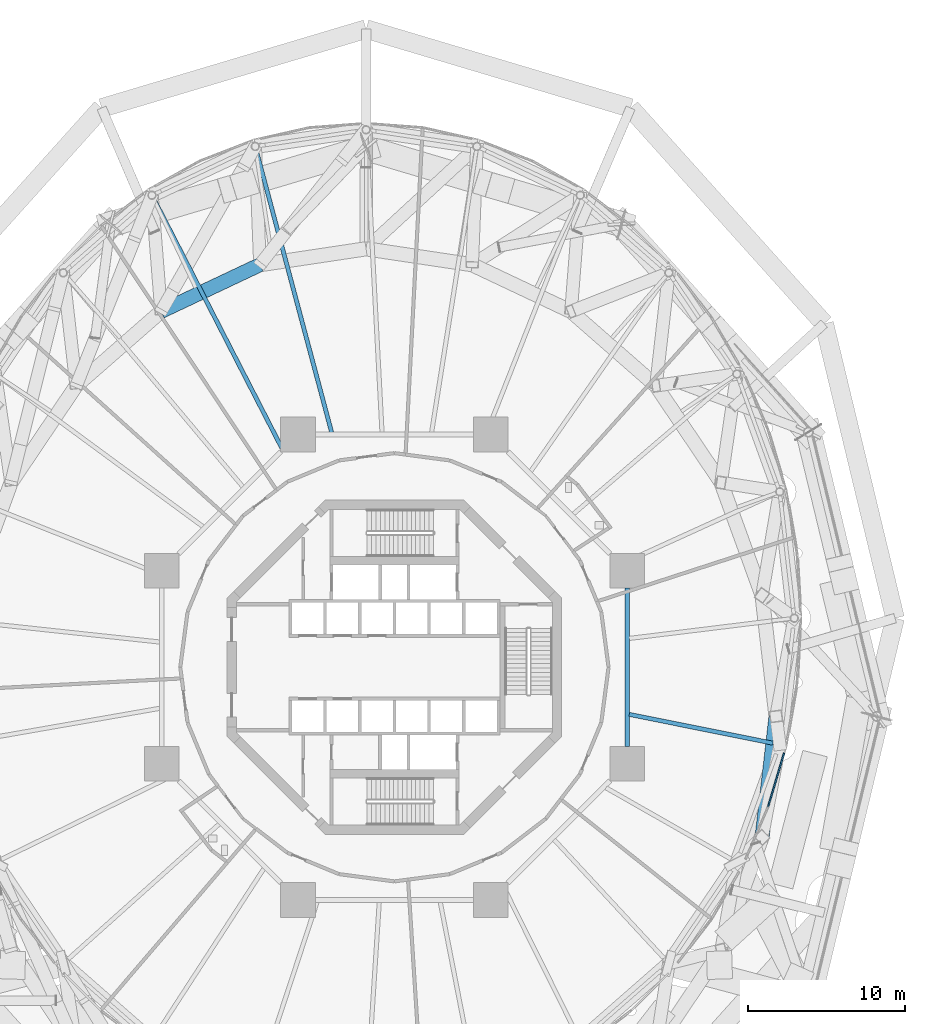
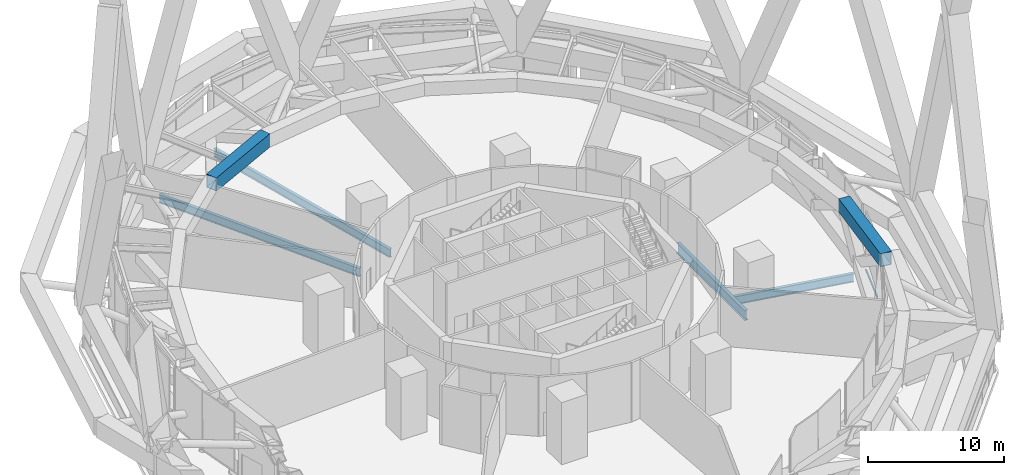
# One storey, part 27 of 65: 6 beams, 1 member, 1 element without a shape of its own.
"""IFC4 building model written with IfcOpenShell, lengths in metres."""

from ifc_helpers import new_model, si_unit, direction, frame, origin, origin_2d, place, context, subcontext, project, spatial, rectangle, hollow_rectangle, i_section, extrude, material, layer, layer_set, material_profile, profile_set, type_object, element, aggregate, save


model = new_model("IFC4")

# Units and contexts
model_context = context("Model", 3, precision=1e-05, world=origin(), true_north=direction((0.0, 1.0)))
body_context = subcontext(model_context, "Body", "Model", "MODEL_VIEW")
ifc_project = project(units=[si_unit("LENGTHUNIT", "METRE"), si_unit("AREAUNIT", "SQUARE_METRE"), si_unit("VOLUMEUNIT", "CUBIC_METRE"), si_unit("PLANEANGLEUNIT", "RADIAN"), si_unit("MASSUNIT", "GRAM", prefix="KILO")], contexts=[model_context])

# Site, building, storey
site_placement = place(None, origin())
site = spatial("IfcSite", under=ifc_project, at=site_placement, CompositionType="ELEMENT")
building_placement = place(site_placement, origin())
building = spatial("IfcBuilding", under=site, at=building_placement, Name="Nagisa Residences", CompositionType="ELEMENT")
storey_placement = place(building_placement, frame((0.0, 0.0, 114.0)))
storey = spatial("IfcBuildingStorey", under=building, at=storey_placement, Name="L28", CompositionType="ELEMENT", Elevation=114.0)

# Beams
ifc_material_1 = material(Name="Steel ASTM A572 Gr 50", Category="steel")
ifc_material_profile_1 = material_profile(ifc_material_1, hollow_rectangle(XDim=0.89990234375, YDim=1.199951171875, WallThickness=0.050048828125, at=origin_2d()), Name="BX 900x1200x50")
ifc_profile_set_1 = profile_set([ifc_material_profile_1], Name="Steel ASTM A572 Gr 50")
beam_type_1 = type_object("IfcBeamType", Name="Belt chord 2 BX 900x1200x50", PredefinedType="BEAM", material=ifc_profile_set_1)
beam_1_placement = place(storey_placement, frame((-8.538330078125, 25.5654296875, 4.739990234375), z_axis=(-0.904168316158, -0.427176375817, 0.0), x_axis=(0.427176375817, -0.904168316158, 0.0)))
element("IfcBeam", 1, at=beam_1_placement, inside=storey, type_object=beam_type_1, Name="beam:L28:bt2t08", PredefinedType="BEAM", context=body_context, shape_type="SweptSolid", body=[
    extrude(hollow_rectangle(XDim=0.89990234375, YDim=1.199951171875, WallThickness=0.050048828125, at=origin_2d()), origin(), (0.0, 0.0, 1.0), 6.944580078125),
])
beam_2_placement = place(storey_placement, frame((23.347900390625, -10.80322265625, 4.739990234375), z_axis=(0.114676809707, 0.993402853487, 0.0), x_axis=(-0.993402853487, 0.114676809707, 0.0)))
element("IfcBeam", 2, at=beam_2_placement, inside=storey, type_object=beam_type_1, Name="beam:L28:bt2t24", PredefinedType="BEAM", context=body_context, shape_type="SweptSolid", body=[
    extrude(hollow_rectangle(XDim=0.89990234375, YDim=1.199951171875, WallThickness=0.050048828125, at=origin_2d()), origin(), (0.0, 0.0, 1.0), 7.736572265625),
])

# Curtain wall, member
ifc_material_2 = material(Name="Aluminium curtain wall system", Category="aluminium")
ifc_layer = layer(ifc_material_2, 0.159912109375)
ifc_layer_set = layer_set([ifc_layer], Name="CW5 CURTAIN WALL")
curtain_wall_type = type_object("IfcCurtainWallType", Name="CW5 CURTAIN WALL", PredefinedType="NOTDEFINED", material=ifc_layer_set)
curtain_wall_placement = place(storey_placement, origin())
curtain_wall = element("IfcCurtainWall", 3, at=curtain_wall_placement, inside=storey, type_object=curtain_wall_type, Name="cw:CW5:L28:45", PredefinedType="NOTDEFINED")
ifc_material_3 = material(Name="Aluminium", Category="aluminium")
ifc_material_profile_2 = material_profile(ifc_material_3, rectangle(XDim=0.10009765625, YDim=0.1201171875, at=origin_2d()), Name="CW5 TRANSOM 100x120")
ifc_profile_set_2 = profile_set([ifc_material_profile_2], Name="Aluminium")
member_type = type_object("IfcMemberType", Name="CW5 TRANSOM 100x120", PredefinedType="USERDEFINED", material=ifc_profile_set_2)
member_placement = place(storey_placement, frame((23.710205078125, -8.919677734375, 0.06005859375), z_axis=(0.285870248444, 0.958268334578, 0.0), x_axis=(-0.958268334578, 0.285870248444, 0.0)))
member = element("IfcMember", 4, at=member_placement, type_object=member_type, Name="CW5 transom", ObjectType="TRANSOM", PredefinedType="USERDEFINED", context=body_context, shape_type="SweptSolid", body=[
    extrude(rectangle(XDim=0.10009765625, YDim=0.1201171875, at=origin_2d()), origin(), (0.0, 0.0, 1.0), 3.62353515625),
])
aggregate(curtain_wall, [member])

# Beams
ifc_material_4 = material(Name="Steel ASTM A572 Gr 50", Category="steel")
ifc_material_profile_3 = material_profile(ifc_material_4, i_section(OverallWidth=0.303955078125, OverallDepth=0.903076171875, WebThickness=0.01513671875, FlangeThickness=0.02001953125, at=origin_2d()), Name="W920x201")
ifc_profile_set_3 = profile_set([ifc_material_profile_3], Name="Steel ASTM A572 Gr 50")
beam_type_2 = type_object("IfcBeamType", Name="Inner ring beam W920x201", PredefinedType="BEAM", material=ifc_profile_set_3)
beam_3_placement = place(storey_placement, frame((14.781982421875, -5.04296875, -0.801513671875), z_axis=(0.0, 1.0, 0.0), x_axis=(-1.0, 0.0, 0.0)))
element("IfcBeam", 5, at=beam_3_placement, inside=storey, type_object=beam_type_2, Name="beam:L28:ib8", PredefinedType="BEAM", context=body_context, shape_type="SweptSolid", body=[
    extrude(i_section(OverallWidth=0.303955078125, OverallDepth=0.903076171875, WebThickness=0.01513671875, FlangeThickness=0.02001953125, at=origin_2d()), origin(), (0.0, 0.0, 1.0), 10.0859375),
])
ifc_material_5 = material(Name="Steel ASTM A572 Gr 50", Category="steel")
ifc_material_profile_4 = material_profile(ifc_material_5, i_section(OverallWidth=0.264892578125, OverallDepth=0.7529296875, WebThickness=0.01318359375, FlangeThickness=0.01708984375, at=origin_2d()), Name="W760x147")
ifc_profile_set_4 = profile_set([ifc_material_profile_4], Name="Steel ASTM A572 Gr 50")
beam_type_3 = type_object("IfcBeamType", Name="Radial beam W760x147", PredefinedType="BEAM", material=ifc_profile_set_4)
beam_4_placement = place(storey_placement, frame((-8.7275390625, 32.66015625, -0.7265625), z_axis=(0.258163119911, -0.966101342261, 0.0), x_axis=(0.966101342261, 0.258163119911, 0.0)))
element("IfcBeam", 6, at=beam_4_placement, inside=storey, type_object=beam_type_3, Name="beam:L28:rb08", PredefinedType="BEAM", context=body_context, shape_type="SweptSolid", body=[
    extrude(i_section(OverallWidth=0.264892578125, OverallDepth=0.7529296875, WebThickness=0.01318359375, FlangeThickness=0.01708984375, at=origin_2d()), origin(), (0.0, 0.0, 1.0), 18.367919921875),
])
beam_5_placement = place(storey_placement, frame((-15.199951171875, 29.5927734375, -0.7265625), z_axis=(0.456890708745, -0.889522838528, 0.0), x_axis=(0.889522838528, 0.456890708745, 0.0)))
element("IfcBeam", 7, at=beam_5_placement, inside=storey, type_object=beam_type_3, Name="beam:L28:rb09", PredefinedType="BEAM", context=body_context, shape_type="SweptSolid", body=[
    extrude(i_section(OverallWidth=0.264892578125, OverallDepth=0.7529296875, WebThickness=0.01318359375, FlangeThickness=0.01708984375, at=origin_2d()), origin(), (0.0, 0.0, 1.0), 17.60205078125),
])
beam_6_placement = place(storey_placement, frame((24.046630859375, -4.824951171875, -0.7265625), z_axis=(-0.980459510702, 0.196720989916, 0.0), x_axis=(-0.196720989916, -0.980459510702, 0.0)))
element("IfcBeam", 8, at=beam_6_placement, inside=storey, type_object=beam_type_3, Name="beam:L28:rb24", PredefinedType="BEAM", context=body_context, shape_type="SweptSolid", body=[
    extrude(i_section(OverallWidth=0.264892578125, OverallDepth=0.7529296875, WebThickness=0.01318359375, FlangeThickness=0.01708984375, at=origin_2d()), origin(), (0.0, 0.0, 1.0), 9.31396484375),
])

save(model, "model.ifc")
